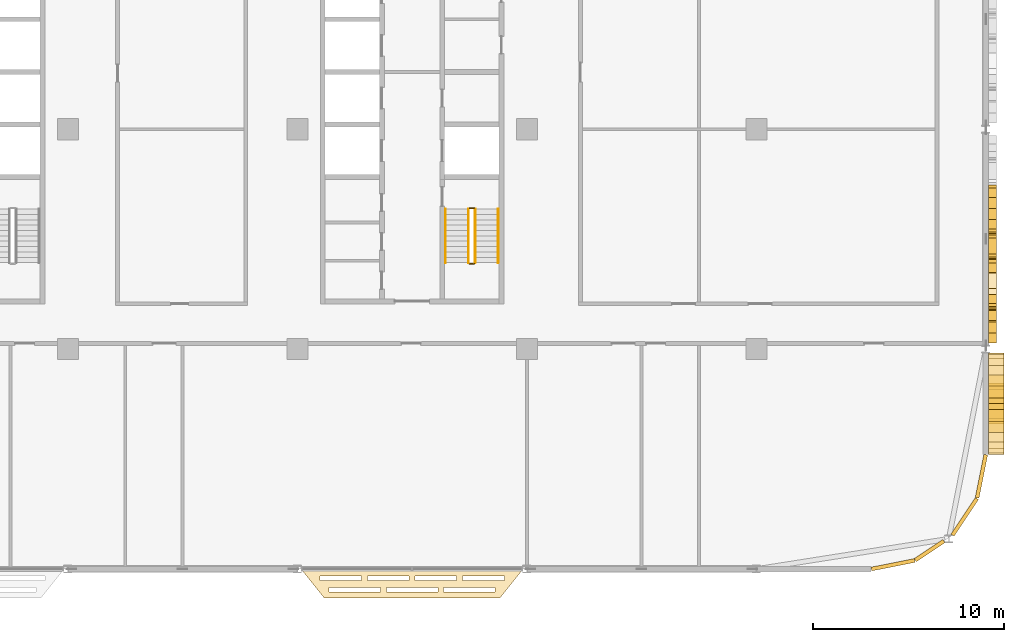
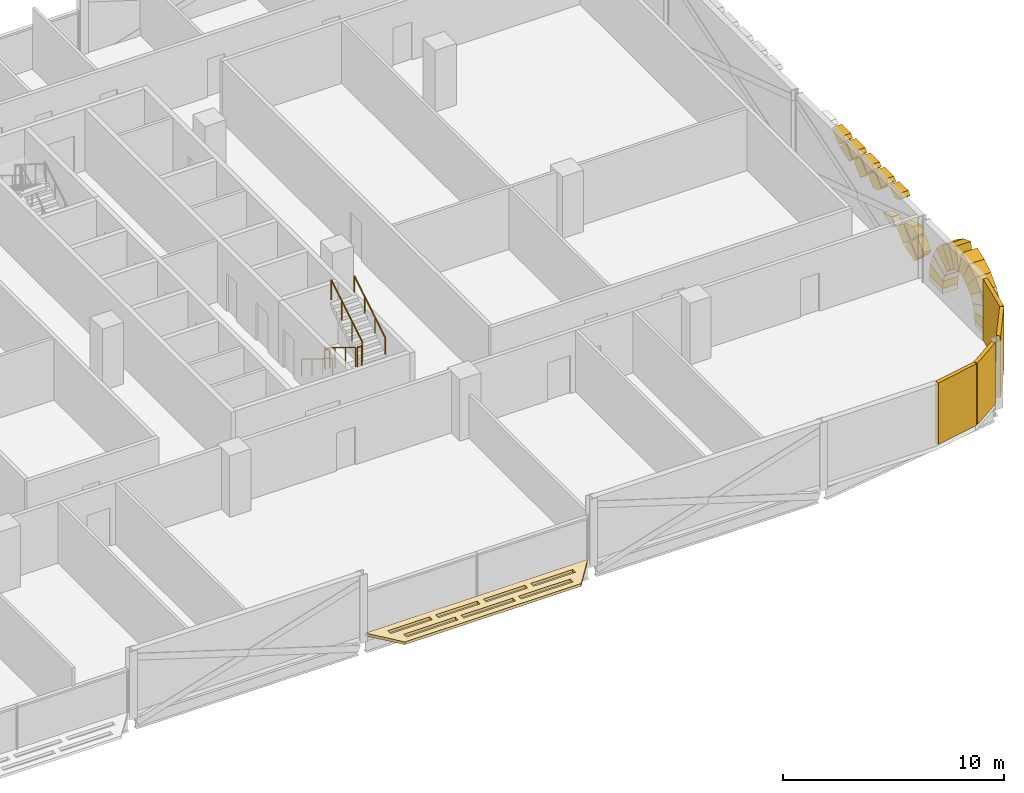
# One storey, part 29 of 30: 32 coverings, 6 railings.
"""IFC4 building model written with IfcOpenShell, lengths in metres."""

import ifcopenshell
import ifcopenshell.guid

model = None  # the IFC model being written
_history = None  # IfcOwnerHistory: only IFC2X3 demands one
_inside = {}  # id of a spatial element -> (the spatial element, [elements in it])
_under = {}  # id of a project, library or spatial element -> (it, [spatial elements below it])
_declared = {}  # id of a project -> (the project, [libraries it declares])
_typed = {}  # id of a type object -> (the type object, [elements of that type])
_made_of = {}  # id of a material, layer set ... -> (it, [elements and type objects made of it])


def new_model(schema):
    """Start an empty IFC model of exactly this schema.

    Asked for "IFC4X3", IfcOpenShell would pick the latest addendum, in which some entities
    have other attributes; the version numbers below select the first issue.
    IFC2X3 requires an IfcOwnerHistory on every rooted entity: one is made here for all.
    """
    global model, _history
    if schema == "IFC4X3":
        model = ifcopenshell.file(schema_version=(4, 3, 0, 0))
    else:
        model = ifcopenshell.file(schema=schema)
    _inside.clear()
    _under.clear()
    _declared.clear()
    _typed.clear()
    _made_of.clear()
    _history = None
    if model.schema == "IFC2X3":
        org = make("IfcOrganization", Name="unknown")
        user = make(
            "IfcPersonAndOrganization",
            ThePerson=make("IfcPerson", FamilyName="unknown"),
            TheOrganization=org,
        )
        app = make(
            "IfcApplication",
            ApplicationDeveloper=org,
            Version="unknown",
            ApplicationFullName="unknown",
            ApplicationIdentifier="unknown",
        )
        _history = make(
            "IfcOwnerHistory",
            OwningUser=user,
            OwningApplication=app,
            ChangeAction="ADDED",
            CreationDate=0,
        )
    return model


def make(cls, **values):
    """One entity of the class cls with the attributes given. An attribute that is None is left unset."""
    return model.create_entity(
        cls, **{name: value for name, value in values.items() if value is not None}
    )


def rooted(cls, **values):
    """An entity with a GlobalId (a new one), such as an element, a storey or a relation."""
    return make(cls, GlobalId=ifcopenshell.guid.new(), OwnerHistory=_history, **values)


def si_unit(unit_type, name, prefix=None):
    """IfcSIUnit, for example si_unit("LENGTHUNIT", "METRE", prefix="MILLI")."""
    return make("IfcSIUnit", UnitType=unit_type, Prefix=prefix, Name=name)


def assignment(units):
    """IfcUnitAssignment: the units of a project."""
    return None if units is None else make("IfcUnitAssignment", Units=units)


def point(xyz):
    """IfcCartesianPoint."""
    return None if xyz is None else make("IfcCartesianPoint", Coordinates=xyz)


def direction(xyz):
    """IfcDirection."""
    return None if xyz is None else make("IfcDirection", DirectionRatios=xyz)


def frame(location, z_axis=None, x_axis=None):
    """IfcAxis2Placement3D, a coordinate frame: its origin and axes. An axis left out is left unset."""
    return make(
        "IfcAxis2Placement3D",
        Location=point(location),
        Axis=direction(z_axis),
        RefDirection=direction(x_axis),
    )


def frame_2d(location, x_axis=None):
    """IfcAxis2Placement2D, a coordinate frame in the plane: its origin and x axis."""
    return make(
        "IfcAxis2Placement2D", Location=point(location), RefDirection=direction(x_axis)
    )


def origin():
    """The frame at (0, 0, 0) with its axes left unset."""
    return frame((0.0, 0.0, 0.0))


def origin_2d():
    """The frame at (0, 0) in the plane with its x axis left unset."""
    return frame_2d((0.0, 0.0))


def place(relative_to, where):
    """IfcLocalPlacement: puts the frame where relative to a parent placement (None: the world)."""
    return make(
        "IfcLocalPlacement", PlacementRelTo=relative_to, RelativePlacement=where
    )


def context(
    kind, dimensions, precision=None, world=None, true_north=None, identifier=None
):
    """IfcGeometricRepresentationContext, for example the 3D "Model" context."""
    return make(
        "IfcGeometricRepresentationContext",
        ContextIdentifier=identifier,
        ContextType=kind,
        CoordinateSpaceDimension=dimensions,
        Precision=precision,
        WorldCoordinateSystem=world,
        TrueNorth=true_north,
    )


def subcontext(parent, identifier, kind, view, scale=None):
    """IfcGeometricRepresentationSubContext, for example "Body" below "Model"."""
    return make(
        "IfcGeometricRepresentationSubContext",
        ContextIdentifier=identifier,
        ContextType=kind,
        ParentContext=parent,
        TargetScale=scale,
        TargetView=view,
    )


def project(units=None, contexts=None):
    """IfcProject with its units and contexts."""
    return rooted(
        "IfcProject",
        Name="project",
        RepresentationContexts=contexts,
        UnitsInContext=assignment(units),
    )


def spatial(cls, under=None, at=None, **own):
    """A site, building, storey or space (cls), placed at a placement, below another one or the project."""
    s = rooted(cls, ObjectPlacement=at, **own)
    if under is not None:
        _under.setdefault(under.id(), (under, []))[1].append(s)
    return s


def polyline(points):
    """IfcPolyline through the points."""
    return make("IfcPolyline", Points=[point(p) for p in points])


def profile(cls, at=None, kind="AREA", **sizes):
    """A parametric profile (cls). Its sizes go by their IFC names, for example OverallWidth=200.0."""
    return make(cls, ProfileType=kind, Position=at, **sizes)


def rectangle(**sizes):
    """IfcRectangleProfileDef."""
    return profile("IfcRectangleProfileDef", **sizes)


def circle(**sizes):
    """IfcCircleProfileDef."""
    return profile("IfcCircleProfileDef", **sizes)


def outline(outer, holes=None, kind="AREA"):
    """IfcArbitraryClosedProfileDef: a profile drawn as a closed curve; with holes, ...WithVoids."""
    if holes is None:
        return make("IfcArbitraryClosedProfileDef", ProfileType=kind, OuterCurve=outer)
    return make(
        "IfcArbitraryProfileDefWithVoids",
        ProfileType=kind,
        OuterCurve=outer,
        InnerCurves=holes,
    )


def extrude(swept, where, along, depth):
    """IfcExtrudedAreaSolid: the profile swept, set in the frame where, extruded along a direction by depth."""
    return make(
        "IfcExtrudedAreaSolid",
        SweptArea=swept,
        Position=where,
        ExtrudedDirection=direction(along),
        Depth=depth,
    )


def shape(context_of_items, identifier, shape_type, items):
    """IfcShapeRepresentation: the items that make up one representation, for example the "Body"."""
    return make(
        "IfcShapeRepresentation",
        ContextOfItems=context_of_items,
        RepresentationIdentifier=identifier,
        RepresentationType=shape_type,
        Items=items,
    )


def material(Name=None, Category=None):
    """IfcMaterial."""
    return make("IfcMaterial", Name=Name, Category=Category)


def layer(
    of_material, thickness, ventilated=None, Name=None, Category=None, Priority=None
):
    """IfcMaterialLayer: one layer of a wall or slab, of a material (None: an air gap)."""
    return make(
        "IfcMaterialLayer",
        Material=of_material,
        LayerThickness=thickness,
        IsVentilated=ventilated,
        Name=Name,
        Category=Category,
        Priority=Priority,
    )


def layer_set(layers, Name=None):
    """IfcMaterialLayerSet."""
    return make("IfcMaterialLayerSet", MaterialLayers=layers, LayerSetName=Name)


def made_of(thing, what):
    """Note that an element or type object is made of a material, layer set ...; save() writes the relation."""
    if what is not None:
        _made_of.setdefault(what.id(), (what, []))[1].append(thing)
    return thing


def type_object(cls, material=None, **own):
    """A type object (cls), such as IfcWallType, which elements share."""
    return made_of(rooted(cls, **own), material)


def element(
    cls,
    number,
    at=None,
    inside=None,
    cuts=None,
    type_object=None,
    material=None,
    context=None,
    identifier="Body",
    shape_type=None,
    held_by="IfcProductDefinitionShape",
    body=None,
    shapes=None,
    **own,
):
    """One element of the class cls, such as IfcWall. Its Tag is "e" and its number.

    at: its placement. inside: the storey or other place that contains it. cuts: it is an
    opening in that element (IfcRelVoidsElement). A single representation is given by context,
    identifier, shape_type and body (its items); several are given by shapes. held_by: the class
    of the entity that holds the representations. save() writes the other relations.
    """
    e = rooted(cls, Tag="e%d" % number, ObjectPlacement=at, **own)
    if body is not None:
        shapes = [shape(context, identifier, shape_type, body)]
    if shapes is not None:
        e.Representation = make(held_by, Representations=shapes)
    if inside is not None:
        _inside.setdefault(inside.id(), (inside, []))[1].append(e)
    if cuts is not None:
        rooted(
            "IfcRelVoidsElement", RelatingBuildingElement=cuts, RelatedOpeningElement=e
        )
    if type_object is not None:
        _typed.setdefault(type_object.id(), (type_object, []))[1].append(e)
    return made_of(e, material)


def aggregate(whole, parts):
    """IfcRelAggregates: a whole, such as a stair, and the parts it consists of."""
    return rooted("IfcRelAggregates", RelatingObject=whole, RelatedObjects=parts)


def save(model, path):
    """Write the relations noted so far, then the file.

    IfcRelAggregates (storeys below a building ...), IfcRelContainedInSpatialStructure (elements
    in a storey), IfcRelDefinesByType, IfcRelAssociatesMaterial and IfcRelDeclares: one each for
    every whole, place, type object, material and project.
    """
    for whole, parts in _under.values():
        aggregate(whole, parts)
    for where, things in _inside.values():
        rooted(
            "IfcRelContainedInSpatialStructure",
            RelatedElements=things,
            RelatingStructure=where,
        )
    for kind, things in _typed.values():
        rooted("IfcRelDefinesByType", RelatedObjects=things, RelatingType=kind)
    for what, things in _made_of.values():
        rooted("IfcRelAssociatesMaterial", RelatedObjects=things, RelatingMaterial=what)
    for by, libraries in _declared.values():
        rooted("IfcRelDeclares", RelatingContext=by, RelatedDefinitions=libraries)
    model.write(path)


model = new_model("IFC4")

# Units and contexts
model_context = context("Model", 3, precision=1e-05, world=origin(), true_north=direction((0.0, 1.0)))
body_context = subcontext(model_context, "Body", "Model", "MODEL_VIEW")
ifc_project = project(units=[si_unit("LENGTHUNIT", "METRE"), si_unit("AREAUNIT", "SQUARE_METRE"), si_unit("VOLUMEUNIT", "CUBIC_METRE"), si_unit("PLANEANGLEUNIT", "RADIAN"), si_unit("MASSUNIT", "GRAM", prefix="KILO")], contexts=[model_context])

# Site, building, storey
site_placement = place(None, origin())
site = spatial("IfcSite", under=ifc_project, at=site_placement, CompositionType="ELEMENT")
building_placement = place(site_placement, origin())
building = spatial("IfcBuilding", under=site, at=building_placement, Name="Mahtab Terrace Research Tower", CompositionType="ELEMENT")
storey_placement = place(building_placement, frame((0.0, 0.0, 220.5)))
storey = spatial("IfcBuildingStorey", under=building, at=storey_placement, Name="L53", CompositionType="ELEMENT", Elevation=220.5)

# Coverings
ifc_material_1 = material(Name="Black aluminium cladding panel", Category="aluminium")
ifc_layer_1 = layer(ifc_material_1, 0.199951171875)
ifc_layer_set_1 = layer_set([ifc_layer_1], Name="Black metal corner cladding 200")
covering_type_1 = type_object("IfcCoveringType", Name="Black metal corner cladding 200", PredefinedType="CLADDING", material=ifc_layer_set_1)
covering_1_placement = place(storey_placement, frame((49.14794921875, -22.771484375, 0.0), z_axis=(0.0, 0.0, 1.0), x_axis=(0.980760981187, 0.195212442692, 0.0)))
element("IfcCovering", 1, at=covering_1_placement, inside=storey, type_object=covering_type_1, Name="Corner cladding L53 31", PredefinedType="CLADDING", context=body_context, shape_type="SweptSolid", body=[
    extrude(rectangle(XDim=2.30126953125, YDim=0.199951171875, at=origin_2d()), origin(), (0.0, 0.0, 1.0), 3.39990234375),
])
covering_2_placement = place(storey_placement, frame((51.059814453125, -22.032958984375, 0.0), z_axis=(0.0, 0.0, 1.0), x_axis=(0.831655794326, 0.555291490808, 0.0)))
element("IfcCovering", 2, at=covering_2_placement, inside=storey, type_object=covering_type_1, Name="Corner cladding L53 32", PredefinedType="CLADDING", context=body_context, shape_type="SweptSolid", body=[
    extrude(rectangle(XDim=1.797119140625, YDim=0.199951171875, at=origin_2d()), origin(), (0.0, 0.0, 1.0), 3.39990234375),
])
for number, where, z_axis, x_axis, name in (
    (3, (52.89306640625, -20.26953125, 0.0), (0.0, 0.0, 1.0), (0.555291490808, 0.831655794326, 0.0), "Corner cladding L53 33"),
    (4, (53.771484375, -18.14794921875, 0.0), (0.0, 0.0, 1.0), (0.195212442692, 0.980760981187, 0.0), "Corner cladding L53 34"),
):
    element("IfcCovering", number, at=place(storey_placement, frame(where, z_axis=z_axis, x_axis=x_axis)), inside=storey, type_object=covering_type_1, Name=name, PredefinedType="CLADDING", context=body_context, shape_type="SweptSolid", body=[
        extrude(rectangle(XDim=2.30126953125, YDim=0.199951171875, at=origin_2d()), origin(), (0.0, 0.0, 1.0), 3.39990234375),
    ])
ifc_material_2 = material(Name="Black anodised aluminium", Category="aluminium")
ifc_layer_2 = layer(ifc_material_2, 0.14990234375)
ifc_layer_set_2 = layer_set([ifc_layer_2], Name="Horizontal sunshade band")
covering_type_2 = type_object("IfcCoveringType", Name="Horizontal sunshade band", PredefinedType="CLADDING", material=ifc_layer_set_2)
covering_3_placement = place(storey_placement, frame((0.0, 0.0, -0.14990234375)))
element("IfcCovering", 5, at=covering_3_placement, inside=storey, type_object=covering_type_2, Name="Sunshade band L53 28", PredefinedType="CLADDING", context=body_context, shape_type="SweptSolid", body=[
    extrude(outline(polyline([(18.199951171875, -23.0), (29.800048828125, -23.0), (28.60009765625, -24.5), (19.39990234375, -24.5), (18.199951171875, -23.0)]), holes=[polyline([(19.179931640625, -23.35009765625), (21.364990234375, -23.35009765625), (21.364990234375, -23.60009765625), (19.179931640625, -23.60009765625), (19.179931640625, -23.35009765625)]), polyline([(21.6650390625, -23.35009765625), (23.85009765625, -23.35009765625), (23.85009765625, -23.60009765625), (21.6650390625, -23.60009765625), (21.6650390625, -23.35009765625)]), polyline([(24.14990234375, -23.35009765625), (26.3349609375, -23.35009765625), (26.3349609375, -23.60009765625), (24.14990234375, -23.60009765625), (24.14990234375, -23.35009765625)]), polyline([(26.635009765625, -23.35009765625), (28.820068359375, -23.35009765625), (28.820068359375, -23.60009765625), (26.635009765625, -23.60009765625), (26.635009765625, -23.35009765625)]), polyline([(19.659912109375, -23.949951171875), (22.35302734375, -23.949951171875), (22.35302734375, -24.199951171875), (19.659912109375, -24.199951171875), (19.659912109375, -23.949951171875)]), polyline([(22.653076171875, -23.949951171875), (25.346923828125, -23.949951171875), (25.346923828125, -24.199951171875), (22.653076171875, -24.199951171875), (22.653076171875, -23.949951171875)]), polyline([(25.64697265625, -23.949951171875), (28.340087890625, -23.949951171875), (28.340087890625, -24.199951171875), (25.64697265625, -24.199951171875), (25.64697265625, -23.949951171875)])]), origin(), (0.0, 0.0, 1.0), 0.14990234375),
])
ifc_material_3 = material(Name="Bronze anodised aluminium", Category="aluminium")
ifc_layer_3 = layer(ifc_material_3, 0.39990234375)
ifc_layer_set_3 = layer_set([ifc_layer_3], Name="Mashrabiya relief panel 400")
covering_type_3 = type_object("IfcCoveringType", Name="Mashrabiya relief panel 400", PredefinedType="CLADDING", material=ifc_layer_set_3)
covering_4_placement = place(storey_placement, frame((54.14990234375, -10.64990234375, 1.72998046875), z_axis=(-1.0, 0.0, 0.0), x_axis=(0.0, 0.706957932274, -0.707255598772)))
element("IfcCovering", 6, at=covering_4_placement, inside=storey, type_object=covering_type_3, Name="Mashrabiya lattice cell L53 E36.1", PredefinedType="CLADDING", context=body_context, shape_type="SweptSolid", body=[
    extrude(outline(polyline([(0.0, 0.0), (0.8201817362875763, 0.0), (0.8203543334390104, 0.8200090664636573), (0.09201368526784859, 0.8203350025580498), (-1.9330880960621855e-05, 0.7283407208436468), (0.0, 0.0)])), origin(), (0.0, 0.0, -1.0), 0.39990234375),
])
covering_5_placement = place(storey_placement, frame((54.14990234375, -10.580078125, 0.5), z_axis=(-1.0, 0.0, 0.0), x_axis=(0.0, 0.707106781187, 0.707106781187)))
element("IfcCovering", 7, at=covering_5_placement, inside=storey, type_object=covering_type_3, Name="Mashrabiya lattice cell L53 E36.2", PredefinedType="CLADDING", context=body_context, shape_type="SweptSolid", body=[
    extrude(outline(polyline([(0.0, 0.0), (0.8203543516109556, 0.0), (0.820181718119455, 0.756652593247226), (0.0, 0.3380163763582178), (0.0, 0.0)])), origin(), (0.0, 0.0, -1.0), 0.39990234375),
])
covering_6_placement = place(storey_placement, frame((54.14990234375, -9.419921875, 1.800048828125), z_axis=(-1.0, 0.0, 0.0), x_axis=(0.0, -0.707106781187, -0.707106781187)))
element("IfcCovering", 8, at=covering_6_placement, inside=storey, type_object=covering_type_3, Name="Mashrabiya lattice cell L53 E36.3", PredefinedType="CLADDING", context=body_context, shape_type="SweptSolid", body=[
    extrude(outline(polyline([(0.0, 0.0), (0.8203543516109556, 0.0), (0.8203543516109556, 0.8203543516109556), (0.39464016157042175, 0.8203543516109555), (0.0, 0.045229974773162956), (0.0, 0.0)])), origin(), (0.0, 0.0, -1.0), 0.39990234375),
])
covering_7_placement = place(storey_placement, frame((54.14990234375, -9.929931640625, 1.14990234375), z_axis=(-1.0, 0.0, 0.0), x_axis=(0.0, 0.706957932274, 0.707255598772)))
element("IfcCovering", 9, at=covering_7_placement, inside=storey, type_object=covering_type_3, Name="Mashrabiya lattice cell L53 E36.4", PredefinedType="CLADDING", context=body_context, shape_type="SweptSolid", body=[
    extrude(outline(polyline([(0.0, 0.0), (0.8201817362875763, 0.0), (0.8200090664636573, 0.8203543334390104), (0.02675822692610913, 0.8200147349174729), (-0.00016961757955680223, 0.8058531204741795), (0.0, 0.0)])), origin(), (0.0, 0.0, -1.0), 0.39990234375),
])
covering_8_placement = place(storey_placement, frame((54.14990234375, -9.280029296875, 3.10009765625), z_axis=(-1.0, 0.0, 0.0), x_axis=(0.0, 0.707629982438, 0.706583192523)))
element("IfcCovering", 10, at=covering_8_placement, inside=storey, type_object=covering_type_3, Name="Mashrabiya lattice cell L53 E36.5", PredefinedType="CLADDING", context=body_context, shape_type="SweptSolid", body=[
    extrude(outline(polyline([(0.0, 0.0), (0.23322791090833506, 0.0), (0.8206160799238383, 0.5865192516057169), (0.8207885855860753, 0.8195744012878711), (0.20707681920504167, 0.8202012996426374), (0.00013519332640499204, 0.4158740948814602), (0.0, 0.0)])), origin(), (0.0, 0.0, -1.0), 0.39990234375),
])
covering_9_placement = place(storey_placement, frame((54.14990234375, -8.6298828125, 1.14990234375), z_axis=(-1.0, 0.0, 0.0), x_axis=(0.0, 0.707106781187, 0.707106781187)))
element("IfcCovering", 11, at=covering_9_placement, inside=storey, type_object=covering_type_3, Name="Mashrabiya lattice cell L53 E36.6", PredefinedType="CLADDING", context=body_context, shape_type="SweptSolid", body=[
    extrude(outline(polyline([(0.0, 0.0), (0.4426322722075947, 0.0), (0.8203543516109556, 0.7409429455206694), (0.8203543516109556, 0.7733980419227865), (0.0, 0.3549344585252788), (0.0, 0.0)])), origin(), (0.0, 0.0, -1.0), 0.39990234375),
])
covering_10_placement = place(storey_placement, frame((54.14990234375, -6.820068359375, 3.10009765625), z_axis=(-1.0, 0.0, 0.0), x_axis=(0.0, -0.706957932274, -0.707255598772)))
element("IfcCovering", 12, at=covering_10_placement, inside=storey, type_object=covering_type_3, Name="Mashrabiya lattice cell L53 E36.7", PredefinedType="CLADDING", context=body_context, shape_type="SweptSolid", body=[
    extrude(outline(polyline([(0.0, 0.0), (0.8201817362875763, 0.0), (0.8200090664636573, 0.8203543334390104), (0.586781260948868, 0.8201326096878417), (0.00012354322418443864, 0.2332278781872742), (0.0, 0.0)])), origin(), (0.0, 0.0, -1.0), 0.39990234375),
])
covering_11_placement = place(storey_placement, frame((54.14990234375, -7.330078125, 2.449951171875), z_axis=(-1.0, 0.0, 0.0), x_axis=(0.0, 0.707106781187, 0.707106781187)))
element("IfcCovering", 13, at=covering_11_placement, inside=storey, type_object=covering_type_3, Name="Mashrabiya lattice cell L53 E36.8", PredefinedType="CLADDING", context=body_context, shape_type="SweptSolid", body=[
    extrude(outline(polyline([(0.0, 0.0), (0.8203543516109556, 0.0), (0.8203543516109556, 0.8203543516109556), (0.2221793035613005, 0.8201817181194551), (0.0, 0.3832463511313808), (0.0, 0.0)])), origin(), (0.0, 0.0, -1.0), 0.39990234375),
])
covering_12_placement = place(storey_placement, frame((54.14990234375, -5.52001953125, 3.10009765625), z_axis=(-1.0, 0.0, 0.0), x_axis=(0.0, -0.707106781187, -0.707106781187)))
element("IfcCovering", 14, at=covering_12_placement, inside=storey, type_object=covering_type_3, Name="Mashrabiya lattice cell L53 E36.9", PredefinedType="CLADDING", context=body_context, shape_type="SweptSolid", body=[
    extrude(outline(polyline([(0.0, 0.0), (0.8203543516109556, 0.0), (0.820181718119455, 0.820181718119455), (0.5869538711021147, 0.8200090846279544), (0.00017263349150062335, 0.23322784701734028), (0.0, 0.0)])), origin(), (0.0, 0.0, -1.0), 0.39990234375),
])
covering_13_placement = place(storey_placement, frame((54.14990234375, -5.449951171875, 3.030029296875), z_axis=(-1.0, 0.0, 0.0), x_axis=(0.0, 0.706957932274, -0.707255598772)))
element("IfcCovering", 15, at=covering_13_placement, inside=storey, type_object=covering_type_3, Name="Mashrabiya lattice cell L53 E36.10", PredefinedType="CLADDING", context=body_context, shape_type="SweptSolid", body=[
    extrude(outline(polyline([(0.0, 0.0), (0.8201817362875763, 0.0), (0.8203543334390104, 0.8200090664636573), (0.00017266982391900276, 0.8203543334390104), (0.0, 0.0)])), origin(), (0.0, 0.0, -1.0), 0.39990234375),
])
covering_14_placement = place(storey_placement, frame((54.14990234375, -4.219970703125, 3.10009765625), z_axis=(-1.0, 0.0, 0.0), x_axis=(0.0, -0.707106781187, -0.707106781187)))
element("IfcCovering", 16, at=covering_14_placement, inside=storey, type_object=covering_type_3, Name="Mashrabiya lattice cell L53 E36.11", PredefinedType="CLADDING", context=body_context, shape_type="SweptSolid", body=[
    extrude(outline(polyline([(0.0, 0.0), (0.8203543516109556, 0.0), (0.820181718119455, 0.820181718119455), (0.5871265045936153, 0.820181718119455), (0.00017263349150062335, 0.23322784701734028), (0.0, 0.0)])), origin(), (0.0, 0.0, -1.0), 0.39990234375),
])
covering_15_placement = place(storey_placement, frame((54.14990234375, -4.72998046875, 2.449951171875), z_axis=(-1.0, 0.0, 0.0), x_axis=(0.0, 0.707106781187, 0.707106781187)))
element("IfcCovering", 17, at=covering_15_placement, inside=storey, type_object=covering_type_3, Name="Mashrabiya lattice cell L53 E36.12", PredefinedType="CLADDING", context=body_context, shape_type="SweptSolid", body=[
    extrude(outline(polyline([(0.0, 0.0), (0.8203543516109556, 0.0), (0.820181718119455, 0.807406839748409), (0.0, 0.38877062285940067), (0.0, 0.0)])), origin(), (0.0, 0.0, -1.0), 0.39990234375),
])
covering_16_placement = place(storey_placement, frame((54.14990234375, -2.919921875, 3.10009765625), z_axis=(-1.0, 0.0, 0.0), x_axis=(0.0, -0.707106781187, -0.707106781187)))
element("IfcCovering", 18, at=covering_16_placement, inside=storey, type_object=covering_type_3, Name="Mashrabiya lattice cell L53 E36.13", PredefinedType="CLADDING", context=body_context, shape_type="SweptSolid", body=[
    extrude(outline(polyline([(0.0, 0.0), (0.8203543516109556, 0.0), (0.8203543516109556, 0.8203543516109556), (0.5871265045936153, 0.820181718119455), (0.00017263349150062335, 0.23322784701734028), (0.0, 0.0)])), origin(), (0.0, 0.0, -1.0), 0.39990234375),
])
ifc_material_4 = material(Name="Glazed ceramic tile cladding", Category="masonry")
ifc_layer_4 = layer(ifc_material_4, 0.800048828125)
ifc_layer_set_4 = layer_set([ifc_layer_4], Name="Pishtaq frame arch course 800")
covering_type_4 = type_object("IfcCoveringType", Name="Pishtaq frame arch course 800", PredefinedType="CLADDING", material=ifc_layer_set_4)
covering_17_placement = place(storey_placement, frame((54.14990234375, -17.0, 0.291015625), z_axis=(-1.0, 0.0, 0.0), x_axis=(0.0, 0.110665855851, 0.993857670066)))
element("IfcCovering", 19, at=covering_17_placement, inside=storey, type_object=covering_type_4, Name="Pishtaq frame arch course 35a1", PredefinedType="CLADDING", context=body_context, shape_type="SweptSolid", body=[
    extrude(outline(polyline([(0.0, 0.0), (0.6860990121249132, 1.3877787807814457e-17), (0.5543801156048798, 1.1930474536272608), (0.13279362341438164, 1.1925806758725657), (0.0, 0.0)])), origin(), (0.0, 0.0, -1.0), 0.800048828125),
])
covering_18_placement = place(storey_placement, frame((54.14990234375, -16.924072265625, 0.972900390625), z_axis=(-1.0, 0.0, 0.0), x_axis=(0.0, 0.324633045019, 0.945840042545)))
element("IfcCovering", 20, at=covering_18_placement, inside=storey, type_object=covering_type_4, Name="Pishtaq frame arch course 35a2", PredefinedType="CLADDING", context=body_context, shape_type="SweptSolid", body=[
    extrude(outline(polyline([(0.0, 0.0), (0.6873746671008136, 0.0), (0.5532755759058785, 1.1931128764356689), (0.13149291775784852, 1.1930723812436834), (0.0, 0.0)])), origin(), (0.0, 0.0, -1.0), 0.800048828125),
])
covering_19_placement = place(storey_placement, frame((54.14990234375, -16.700927734375, 1.623046875), z_axis=(-1.0, 0.0, 0.0), x_axis=(0.0, 0.525644305747, 0.85070445152)))
element("IfcCovering", 21, at=covering_19_placement, inside=storey, type_object=covering_type_4, Name="Pishtaq frame arch course 35a3", PredefinedType="CLADDING", context=body_context, shape_type="SweptSolid", body=[
    extrude(outline(polyline([(0.0, 0.0), (0.6864715165843847, 0.0), (0.5553898638991476, 1.191918864283835), (0.13290520503858338, 1.193246457631262), (0.0, 0.0)])), origin(), (0.0, 0.0, -1.0), 0.800048828125),
])
covering_20_placement = place(storey_placement, frame((54.14990234375, -16.340087890625, 2.20703125), z_axis=(-1.0, 0.0, 0.0), x_axis=(0.0, 0.697621486384, 0.716466511245)))
element("IfcCovering", 22, at=covering_20_placement, inside=storey, type_object=covering_type_4, Name="Pishtaq frame arch course 35a4", PredefinedType="CLADDING", context=body_context, shape_type="SweptSolid", body=[
    extrude(outline(polyline([(0.0, 0.0), (0.686624359483349, -5.551115123125783e-17), (0.5526392432272162, 1.19259897101942), (0.1305211206779583, 1.191980375578109), (0.0, 0.0)])), origin(), (0.0, 0.0, -1.0), 0.800048828125),
])
covering_21_placement = place(storey_placement, frame((54.14990234375, -15.861083984375, 2.698974609375), z_axis=(-1.0, 0.0, 0.0), x_axis=(0.0, 0.83876827117, 0.544488555692)))
element("IfcCovering", 23, at=covering_21_placement, inside=storey, type_object=covering_type_4, Name="Pishtaq frame arch course 35a5", PredefinedType="CLADDING", context=body_context, shape_type="SweptSolid", body=[
    extrude(outline(polyline([(0.0, 0.0), (0.6869261687694916, 0.0), (0.5551664828393372, 1.192558037382136), (0.1330175051397674, 1.192707281935153), (0.0, 0.0)])), origin(), (0.0, 0.0, -1.0), 0.800048828125),
])
covering_22_placement = place(storey_placement, frame((54.14990234375, -15.284912109375, 3.072998046875), z_axis=(-1.0, 0.0, 0.0), x_axis=(0.0, 0.937478307011, 0.348043709732)))
element("IfcCovering", 24, at=covering_22_placement, inside=storey, type_object=covering_type_4, Name="Pishtaq frame arch course 35a6", PredefinedType="CLADDING", context=body_context, shape_type="SweptSolid", body=[
    extrude(outline(polyline([(0.0, 0.0), (0.6867346404822561, 0.0), (0.554410845060907, 1.1925694994698126), (0.132020188998819, 1.1925292269197687), (0.0, 0.0)])), origin(), (0.0, 0.0, -1.0), 0.800048828125),
])
covering_23_placement = place(storey_placement, frame((54.14990234375, -12.89990234375, 0.291015625), z_axis=(-1.0, 0.0, 0.0), x_axis=(0.0, -0.111766179934, 0.99373453247)))
element("IfcCovering", 25, at=covering_23_placement, inside=storey, type_object=covering_type_4, Name="Pishtaq frame arch course 35b1", PredefinedType="CLADDING", context=body_context, shape_type="SweptSolid", body=[
    extrude(outline(polyline([(0.0, 0.0), (0.4215867505970286, 0.0), (0.5519846330010274, 1.1931925605582272), (-0.13411395858774453, 1.1924329167697907), (0.0, 0.0)])), origin(), (0.0, 0.0, -1.0), 0.800048828125),
])
covering_24_placement = place(storey_placement, frame((54.14990234375, -12.947021484375, 0.7099609375), z_axis=(-1.0, 0.0, 0.0), x_axis=(0.0, -0.324723853264, 0.945808870291)))
element("IfcCovering", 26, at=covering_24_placement, inside=storey, type_object=covering_type_4, Name="Pishtaq frame arch course 35b2", PredefinedType="CLADDING", context=body_context, shape_type="SweptSolid", body=[
    extrude(outline(polyline([(0.0, 0.0), (0.42178266009199405, 0.0), (0.5557672003576313, 1.1931257457391946), (-0.13160746357512518, 1.1930597511601286), (0.0, 0.0)])), origin(), (0.0, 0.0, -1.0), 0.800048828125),
])
covering_25_placement = place(storey_placement, frame((54.14990234375, -13.083984375, 1.10888671875), z_axis=(-1.0, 0.0, 0.0), x_axis=(0.0, -0.522968515293, 0.852352000063)))
element("IfcCovering", 27, at=covering_25_placement, inside=storey, type_object=covering_type_4, Name="Pishtaq frame arch course 35b3", PredefinedType="CLADDING", context=body_context, shape_type="SweptSolid", body=[
    extrude(outline(polyline([(0.0, 0.0), (0.4224867447348184, 0.0), (0.5574408321389253, 1.1912929838809925), (-0.12915497310282809, 1.1936581986057446), (0.0, 0.0)])), origin(), (0.0, 0.0, -1.0), 0.800048828125),
])
covering_26_placement = place(storey_placement, frame((54.14990234375, -13.304931640625, 1.468994140625), z_axis=(-1.0, 0.0, 0.0), x_axis=(0.0, -0.698966550713, 0.715154361648)))
element("IfcCovering", 28, at=covering_26_placement, inside=storey, type_object=covering_type_4, Name="Pishtaq frame arch course 35b4", PredefinedType="CLADDING", context=body_context, shape_type="SweptSolid", body=[
    extrude(outline(polyline([(0.0, 0.0), (0.42228918583270925, 2.7755575615628914e-17), (0.5540330798879851, 1.1928486339154272), (-0.132590067382504, 1.1915584136678556), (0.0, 0.0)])), origin(), (0.0, 0.0, -1.0), 0.800048828125),
])
covering_27_placement = place(storey_placement, frame((54.14990234375, -13.60009765625, 1.77099609375), z_axis=(-1.0, 0.0, 0.0), x_axis=(0.0, -0.838575722855, 0.544785055814)))
element("IfcCovering", 29, at=covering_27_placement, inside=storey, type_object=covering_type_4, Name="Pishtaq frame arch course 35b5", PredefinedType="CLADDING", context=body_context, shape_type="SweptSolid", body=[
    extrude(outline(polyline([(0.0, 0.0), (0.4221490040811757, 0.0), (0.5541255626780768, 1.1926443853256288), (-0.1325958327618464, 1.192754233775316), (0.0, 0.0)])), origin(), (0.0, 0.0, -1.0), 0.800048828125),
])
covering_28_placement = place(storey_placement, frame((54.14990234375, -13.9541015625, 2.0009765625), z_axis=(-1.0, 0.0, 0.0), x_axis=(0.0, -0.937511486741, 0.347954324919)))
element("IfcCovering", 30, at=covering_28_placement, inside=storey, type_object=covering_type_4, Name="Pishtaq frame arch course 35b6", PredefinedType="CLADDING", context=body_context, shape_type="SweptSolid", body=[
    extrude(outline(polyline([(0.0, 0.0), (0.4223906579819675, 0.0), (0.5546007480739337, 1.1925821103715522), (-0.1323627739272457, 1.1926015839106174), (0.0, 0.0)])), origin(), (0.0, 0.0, -1.0), 0.800048828125),
])
ifc_layer_5 = layer(ifc_material_4, 0.800048828125)
ifc_layer_set_5 = layer_set([ifc_layer_5], Name="Pishtaq frame pier 800")
covering_type_5 = type_object("IfcCoveringType", Name="Pishtaq frame pier 800", PredefinedType="CLADDING", material=ifc_layer_set_5)
for number, where, z_axis, x_axis, name in (
    (31, (54.550048828125, -16.39990234375, -0.00048828125), (0.0, 0.0, 1.0), (0.0, 1.0, 0.0), "Pishtaq frame pier 35a"),
    (32, (54.550048828125, -12.300048828125, -0.00048828125), (0.0, 0.0, 1.0), (0.0, 1.0, 0.0), "Pishtaq frame pier 35b"),
):
    element("IfcCovering", number, at=place(storey_placement, frame(where, z_axis=z_axis, x_axis=x_axis)), inside=storey, type_object=covering_type_5, Name=name, PredefinedType="CLADDING", context=body_context, shape_type="SweptSolid", body=[
        extrude(rectangle(XDim=1.199951171875, YDim=0.800048828125, at=origin_2d()), origin(), (0.0, 0.0, 1.0), 0.291015625),
    ])

# Railings
ifc_material_5 = material(Name="Stainless steel AISI 304", Category="steel")
railing_type_1 = type_object("IfcRailingType", Name="Stair guard 1100", PredefinedType="GUARDRAIL", material=ifc_material_5)
railing_1_placement = place(storey_placement, frame((26.949951171875, -4.175048828125, 0.172607421875)))
element("IfcRailing", 33, at=railing_1_placement, inside=storey, type_object=railing_type_1, Name="L53 ST4 stair guard 1", PredefinedType="GUARDRAIL", context=body_context, shape_type="SweptSolid", body=[
    extrude(circle(Radius=0.02392578125, at=origin_2d()), frame((0.0, 0.0, 1.076171875), z_axis=(0.0, -0.851089632645, 0.525020415988), x_axis=(1.0, 0.0, 0.0)), (0.0, 0.0, 1.0), 3.2900390625),
    extrude(circle(Radius=0.02099609375, at=origin_2d()), origin(), (0.0, 0.0, 1.0), 1.052001953125),
    extrude(circle(Radius=0.02099609375, at=origin_2d()), frame((0.0, -0.933349609375, 0.57568359375)), (0.0, 0.0, 1.0), 1.052001953125),
    extrude(circle(Radius=0.02099609375, at=origin_2d()), frame((0.0, -1.86669921875, 1.151611328125)), (0.0, 0.0, 1.0), 1.052001953125),
    extrude(circle(Radius=0.02099609375, at=origin_2d()), frame((0.0, -2.800048828125, 1.727294921875)), (0.0, 0.0, 1.0), 1.052001953125),
])
railing_2_placement = place(storey_placement, frame((27.0, -7.02490234375, 1.89990234375)))
element("IfcRailing", 34, at=railing_2_placement, inside=storey, type_object=railing_type_1, Name="L53 ST4 stair guard 2", PredefinedType="GUARDRAIL", context=body_context, shape_type="SweptSolid", body=[
    extrude(circle(Radius=0.02392578125, at=origin_2d()), frame((0.0, 0.0, 1.076171875), z_axis=(1.0, 0.0, 0.0), x_axis=(0.0, 1.0, 0.0)), (0.0, 0.0, 1.0), 0.25),
    extrude(circle(Radius=0.02099609375, at=origin_2d()), origin(), (0.0, 0.0, 1.0), 1.052001953125),
    extrude(circle(Radius=0.02099609375, at=origin_2d()), frame((0.25, 0.0, 0.0)), (0.0, 0.0, 1.0), 1.052001953125),
])
railing_3_placement = place(storey_placement, frame((27.300048828125, -6.97509765625, 2.07275390625)))
element("IfcRailing", 35, at=railing_3_placement, inside=storey, type_object=railing_type_1, Name="L53 ST4 stair guard 3", PredefinedType="GUARDRAIL", context=body_context, shape_type="SweptSolid", body=[
    extrude(circle(Radius=0.02392578125, at=origin_2d()), frame((0.0, 0.0, 1.076171875), z_axis=(0.0, 0.851089632645, 0.525020415988), x_axis=(-1.0, 0.0, 0.0)), (0.0, 0.0, 1.0), 3.2900390625),
    extrude(circle(Radius=0.02099609375, at=origin_2d()), origin(), (0.0, 0.0, 1.0), 1.052001953125),
    extrude(circle(Radius=0.02099609375, at=origin_2d()), frame((0.0, 0.933349609375, 0.57568359375)), (0.0, 0.0, 1.0), 1.052001953125),
    extrude(circle(Radius=0.02099609375, at=origin_2d()), frame((0.0, 1.86669921875, 1.151611328125)), (0.0, 0.0, 1.0), 1.052001953125),
    extrude(circle(Radius=0.02099609375, at=origin_2d()), frame((0.0, 2.800048828125, 1.727294921875)), (0.0, 0.0, 1.0), 1.052001953125),
])
railing_4_placement = place(storey_placement, frame((27.0, -4.125, 0.0)))
element("IfcRailing", 36, at=railing_4_placement, inside=storey, type_object=railing_type_1, Name="L53 ST4 stair guard 4", PredefinedType="GUARDRAIL", context=body_context, shape_type="SweptSolid", body=[
    extrude(circle(Radius=0.02392578125, at=origin_2d()), frame((0.0, 0.0, 1.076171875), z_axis=(1.0, 0.0, 0.0), x_axis=(0.0, 1.0, 0.0)), (0.0, 0.0, 1.0), 0.25),
    extrude(circle(Radius=0.02099609375, at=origin_2d()), origin(), (0.0, 0.0, 1.0), 1.052001953125),
    extrude(circle(Radius=0.02099609375, at=origin_2d()), frame((0.25, 0.0, 0.0)), (0.0, 0.0, 1.0), 1.052001953125),
])
railing_type_2 = type_object("IfcRailingType", Name="Stair handrail 900", PredefinedType="HANDRAIL", material=ifc_material_5)
railing_5_placement = place(storey_placement, frame((25.75, -4.175048828125, 0.172607421875)))
element("IfcRailing", 37, at=railing_5_placement, inside=storey, type_object=railing_type_2, Name="L53 ST4 stair handrail 1", PredefinedType="HANDRAIL", context=body_context, shape_type="SweptSolid", body=[
    extrude(circle(Radius=0.02392578125, at=origin_2d()), frame((0.0, 0.0, 0.8759765625), z_axis=(0.0, -0.851089632645, 0.525020415988), x_axis=(1.0, 0.0, 0.0)), (0.0, 0.0, 1.0), 3.2900390625),
    extrude(circle(Radius=0.02099609375, at=origin_2d()), origin(), (0.0, 0.0, 1.0), 0.851806640625),
    extrude(circle(Radius=0.02099609375, at=origin_2d()), frame((0.0, -0.933349609375, 0.57568359375)), (0.0, 0.0, 1.0), 0.851806640625),
    extrude(circle(Radius=0.02099609375, at=origin_2d()), frame((0.0, -1.86669921875, 1.151611328125)), (0.0, 0.0, 1.0), 0.851806640625),
    extrude(circle(Radius=0.02099609375, at=origin_2d()), frame((0.0, -2.800048828125, 1.727294921875)), (0.0, 0.0, 1.0), 0.851806640625),
])
railing_6_placement = place(storey_placement, frame((28.5, -6.97509765625, 2.07275390625)))
element("IfcRailing", 38, at=railing_6_placement, inside=storey, type_object=railing_type_2, Name="L53 ST4 stair handrail 2", PredefinedType="HANDRAIL", context=body_context, shape_type="SweptSolid", body=[
    extrude(circle(Radius=0.02392578125, at=origin_2d()), frame((0.0, 0.0, 0.8759765625), z_axis=(0.0, 0.851089632645, 0.525020415988), x_axis=(-1.0, 0.0, 0.0)), (0.0, 0.0, 1.0), 3.2900390625),
    extrude(circle(Radius=0.02099609375, at=origin_2d()), origin(), (0.0, 0.0, 1.0), 0.851806640625),
    extrude(circle(Radius=0.02099609375, at=origin_2d()), frame((0.0, 0.933349609375, 0.57568359375)), (0.0, 0.0, 1.0), 0.851806640625),
    extrude(circle(Radius=0.02099609375, at=origin_2d()), frame((0.0, 1.86669921875, 1.151611328125)), (0.0, 0.0, 1.0), 0.851806640625),
    extrude(circle(Radius=0.02099609375, at=origin_2d()), frame((0.0, 2.800048828125, 1.727294921875)), (0.0, 0.0, 1.0), 0.851806640625),
])

save(model, "model.ifc")
